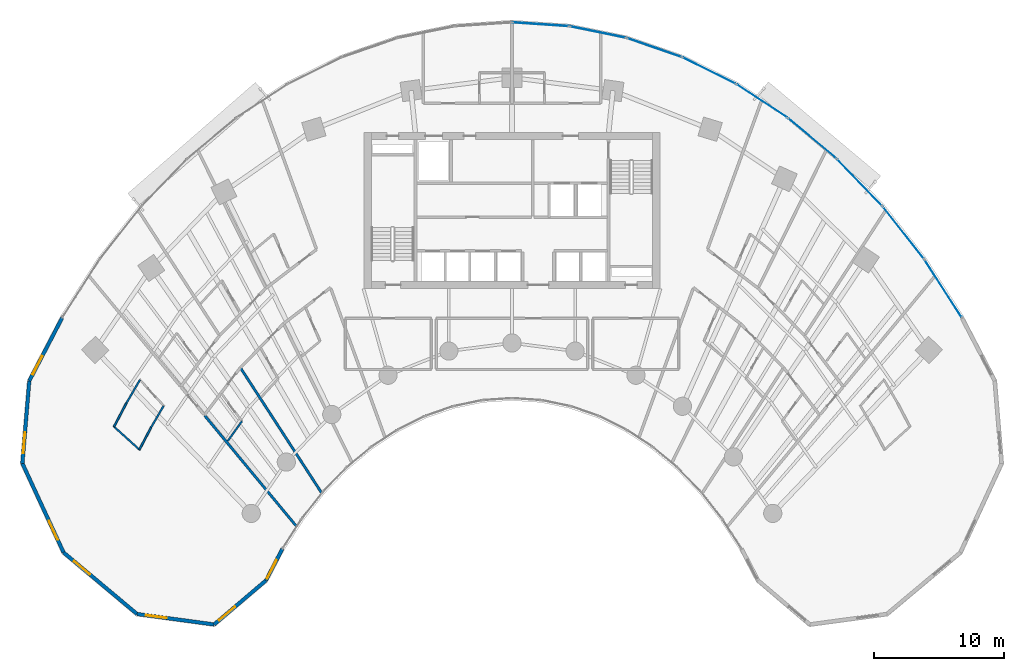
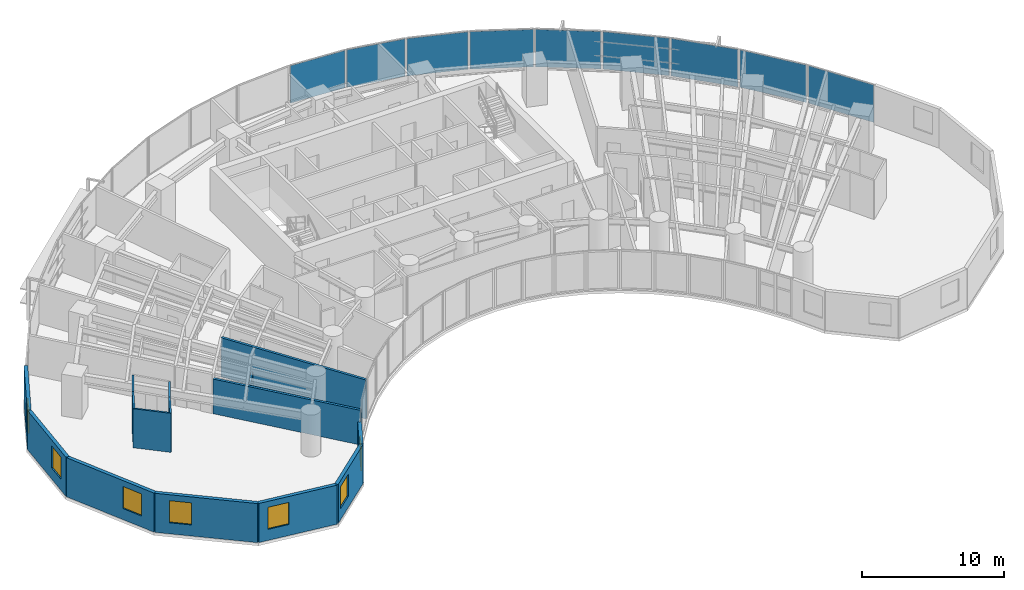
# One storey, part 10 of 18: 15 walls, 9 plates, 7 windows, 7 openings, 9 elements without a shape of their own.
"""IFC4 building model written with IfcOpenShell, lengths in metres."""

from ifc_helpers import new_model, si_unit, direction, frame, frame_2d, origin, origin_2d, place, context, subcontext, project, spatial, rectangle, extrude, source, transform, mapped, material, layer, layer_set, type_object, type_shapes, element, fill, aggregate, save


model = new_model("IFC4")

# Units and contexts
model_context = context("Model", 3, precision=1e-05, world=origin(), true_north=direction((0.0, 1.0)))
body_context = subcontext(model_context, "Body", "Model", "MODEL_VIEW")
ifc_project = project(units=[si_unit("LENGTHUNIT", "METRE"), si_unit("AREAUNIT", "SQUARE_METRE"), si_unit("VOLUMEUNIT", "CUBIC_METRE"), si_unit("PLANEANGLEUNIT", "RADIAN"), si_unit("MASSUNIT", "GRAM", prefix="KILO")], contexts=[model_context])

# Site, building, storey
site_placement = place(None, origin())
site = spatial("IfcSite", under=ifc_project, at=site_placement, CompositionType="ELEMENT")
building_placement = place(site_placement, origin())
building = spatial("IfcBuilding", under=site, at=building_placement, Name="Breltana Convention Tower", CompositionType="ELEMENT")
storey_placement = place(building_placement, frame((0.0, 0.0, 39.0)))
storey = spatial("IfcBuildingStorey", under=building, at=storey_placement, Name="L07", CompositionType="ELEMENT", Elevation=39.0)

# Curtain wall, plate
ifc_material_1 = material(Name="Aluminium Anodised Bronze Frame", Category="aluminium")
ifc_layer_1 = layer(ifc_material_1, 0.199951171875, Name="Aluminium Anodised Bronze Frame")
ifc_layer_set_1 = layer_set([ifc_layer_1], Name="Aluminium Anodised Bronze Frame")
curtain_wall_type = type_object("IfcCurtainWallType", Name="CW-SYS-2", PredefinedType="NOTDEFINED", material=ifc_layer_set_1)
curtain_wall_1_placement = place(storey_placement, origin())
curtain_wall_1 = element("IfcCurtainWall", 1, at=curtain_wall_1_placement, inside=storey, type_object=curtain_wall_type, Name="L07 outer double-skin inner glazing 17", PredefinedType="NOTDEFINED")
ifc_material_2 = material(Name="Glass Low-E Double Glazing", Category="glass")
ifc_layer_2 = layer(ifc_material_2, 0.031982421875, Name="Glass Low-E Double Glazing")
ifc_layer_set_2 = layer_set([ifc_layer_2], Name="Glass Low-E Double Glazing")
plate_type = type_object("IfcPlateType", Name="CWP-IGU-32", PredefinedType="CURTAIN_PANEL", material=ifc_layer_set_2)
shared_shape_1 = source(origin(), body_context, "Body", "SweptSolid", [
    extrude(rectangle(XDim=5.0546875, YDim=0.031982421875, at=origin_2d()), origin(), (0.0, 0.0, 1.0), 3.219970703125),
])
plate_1_placement = place(storey_placement, frame((78.038818359375, 64.504638671875, 0.06982421875), z_axis=(0.0, 0.0, 1.0), x_axis=(0.618153917633, -0.786057080698, 0.0)))
plate_1 = element("IfcPlate", 2, at=plate_1_placement, type_object=plate_type, Name="CW-02 panel 1.1", PredefinedType="CURTAIN_PANEL", context=body_context, shape_type="MappedRepresentation", body=[
    mapped(shared_shape_1, transform((0.0, 0.0, 0.0), scale=1.0)),
])
aggregate(curtain_wall_1, [plate_1])

curtain_wall_2_placement = place(storey_placement, origin())
curtain_wall_2 = element("IfcCurtainWall", 3, at=curtain_wall_2_placement, inside=storey, type_object=curtain_wall_type, Name="L07 outer double-skin inner glazing 16", PredefinedType="NOTDEFINED")
shared_shape_2 = source(origin(), body_context, "Body", "SweptSolid", [
    extrude(rectangle(XDim=4.901123046875, YDim=0.031982421875, at=origin_2d()), origin(), (0.0, 0.0, 1.0), 3.219970703125),
])
plate_2_placement = place(storey_placement, frame((74.682373046875, 68.359619140625, 0.06982421875), z_axis=(0.0, 0.0, 1.0), x_axis=(0.694610090106, -0.719386421003, 0.0)))
plate_2 = element("IfcPlate", 4, at=plate_2_placement, type_object=plate_type, Name="CW-02 panel 1.1", PredefinedType="CURTAIN_PANEL", context=body_context, shape_type="MappedRepresentation", body=[
    mapped(shared_shape_2, transform((0.0, 0.0, 0.0), scale=1.0)),
])
aggregate(curtain_wall_2, [plate_2])

curtain_wall_3_placement = place(storey_placement, origin())
curtain_wall_3 = element("IfcCurtainWall", 5, at=curtain_wall_3_placement, inside=storey, type_object=curtain_wall_type, Name="L07 outer double-skin inner glazing 15", PredefinedType="NOTDEFINED")
shared_shape_3 = source(origin(), body_context, "Body", "SweptSolid", [
    extrude(rectangle(XDim=4.7509765625, YDim=0.031982421875, at=origin_2d()), origin(), (0.0, 0.0, 1.0), 3.219970703125),
])
plate_3_placement = place(storey_placement, frame((71.0537109375, 71.7392578125, 0.06982421875), z_axis=(0.0, 0.0, 1.0), x_axis=(0.767941326958, -0.640520193554, 0.0)))
plate_3 = element("IfcPlate", 6, at=plate_3_placement, type_object=plate_type, Name="CW-02 panel 1.1", PredefinedType="CURTAIN_PANEL", context=body_context, shape_type="MappedRepresentation", body=[
    mapped(shared_shape_3, transform((0.0, 0.0, 0.0), scale=1.0)),
])
aggregate(curtain_wall_3, [plate_3])

curtain_wall_4_placement = place(storey_placement, origin())
curtain_wall_4 = element("IfcCurtainWall", 7, at=curtain_wall_4_placement, inside=storey, type_object=curtain_wall_type, Name="L07 outer double-skin inner glazing 14", PredefinedType="NOTDEFINED")
shared_shape_4 = source(origin(), body_context, "Body", "SweptSolid", [
    extrude(rectangle(XDim=4.610595703125, YDim=0.031982421875, at=origin_2d()), origin(), (0.0, 0.0, 1.0), 3.219970703125),
])
plate_4_placement = place(storey_placement, frame((67.18994140625, 74.609130859375, 0.06982421875), z_axis=(0.0, 0.0, 1.0), x_axis=(0.83596401875, -0.548784255746, 0.0)))
plate_4 = element("IfcPlate", 8, at=plate_4_placement, type_object=plate_type, Name="CW-02 panel 1.1", PredefinedType="CURTAIN_PANEL", context=body_context, shape_type="MappedRepresentation", body=[
    mapped(shared_shape_4, transform((0.0, 0.0, 0.0), scale=1.0)),
])
aggregate(curtain_wall_4, [plate_4])

curtain_wall_5_placement = place(storey_placement, origin())
curtain_wall_5 = element("IfcCurtainWall", 9, at=curtain_wall_5_placement, inside=storey, type_object=curtain_wall_type, Name="L07 outer double-skin inner glazing 13", PredefinedType="NOTDEFINED")
shared_shape_5 = source(origin(), body_context, "Body", "SweptSolid", [
    extrude(rectangle(XDim=4.487548828125, YDim=0.031982421875, at=origin_2d()), origin(), (0.0, 0.0, 1.0), 3.219970703125),
])
plate_5_placement = place(storey_placement, frame((63.13134765625, 76.940185546875, 0.06982421875), z_axis=(0.0, 0.0, 1.0), x_axis=(0.895973407804, -0.444107703726, 0.0)))
plate_5 = element("IfcPlate", 10, at=plate_5_placement, type_object=plate_type, Name="CW-02 panel 1.1", PredefinedType="CURTAIN_PANEL", context=body_context, shape_type="MappedRepresentation", body=[
    mapped(shared_shape_5, transform((0.0, 0.0, 0.0), scale=1.0)),
])
aggregate(curtain_wall_5, [plate_5])

curtain_wall_6_placement = place(storey_placement, origin())
curtain_wall_6 = element("IfcCurtainWall", 11, at=curtain_wall_6_placement, inside=storey, type_object=curtain_wall_type, Name="L07 outer double-skin inner glazing 12", PredefinedType="NOTDEFINED")
shared_shape_6 = source(origin(), body_context, "Body", "SweptSolid", [
    extrude(rectangle(XDim=4.388427734375, YDim=0.031982421875, at=origin_2d()), origin(), (0.0, 0.0, 1.0), 3.219970703125),
])
plate_6_placement = place(storey_placement, frame((58.9189453125, 78.709228515625, 0.06982421875), z_axis=(0.0, 0.0, 1.0), x_axis=(0.944876012163, -0.32742834581, 0.0)))
plate_6 = element("IfcPlate", 12, at=plate_6_placement, type_object=plate_type, Name="CW-02 panel 1.1", PredefinedType="CURTAIN_PANEL", context=body_context, shape_type="MappedRepresentation", body=[
    mapped(shared_shape_6, transform((0.0, 0.0, 0.0), scale=1.0)),
])
aggregate(curtain_wall_6, [plate_6])

curtain_wall_7_placement = place(storey_placement, origin())
curtain_wall_7 = element("IfcCurtainWall", 13, at=curtain_wall_7_placement, inside=storey, type_object=curtain_wall_type, Name="L07 outer double-skin inner glazing 11", PredefinedType="NOTDEFINED")
shared_shape_7 = source(origin(), body_context, "Body", "SweptSolid", [
    extrude(rectangle(XDim=4.318359375, YDim=0.031982421875, at=origin_2d()), origin(), (0.0, 0.0, 1.0), 3.219970703125),
])
plate_7_placement = place(storey_placement, frame((54.595703125, 79.898193359375, 0.06982421875), z_axis=(0.0, 0.0, 1.0), x_axis=(0.979614925743, -0.200884537139, 0.0)))
plate_7 = element("IfcPlate", 14, at=plate_7_placement, type_object=plate_type, Name="CW-02 panel 1.1", PredefinedType="CURTAIN_PANEL", context=body_context, shape_type="MappedRepresentation", body=[
    mapped(shared_shape_7, transform((0.0, 0.0, 0.0), scale=1.0)),
])
aggregate(curtain_wall_7, [plate_7])

curtain_wall_8_placement = place(storey_placement, origin())
curtain_wall_8 = element("IfcCurtainWall", 15, at=curtain_wall_8_placement, inside=storey, type_object=curtain_wall_type, Name="L07 outer double-skin inner glazing 10", PredefinedType="NOTDEFINED")
shared_shape_8 = source(origin(), body_context, "Body", "SweptSolid", [
    extrude(rectangle(XDim=4.2822265625, YDim=0.031982421875, at=origin_2d()), origin(), (0.0, 0.0, 1.0), 3.219970703125),
])
plate_8_placement = place(storey_placement, frame((50.2060546875, 80.495849609375, 0.06982421875), z_axis=(0.0, 0.0, 1.0), x_axis=(0.997703982282, -0.067725650529, 0.0)))
plate_8 = element("IfcPlate", 16, at=plate_8_placement, type_object=plate_type, Name="CW-02 panel 1.1", PredefinedType="CURTAIN_PANEL", context=body_context, shape_type="MappedRepresentation", body=[
    mapped(shared_shape_8, transform((0.0, 0.0, 0.0), scale=1.0)),
])
aggregate(curtain_wall_8, [plate_8])

curtain_wall_9_placement = place(storey_placement, origin())
curtain_wall_9 = element("IfcCurtainWall", 17, at=curtain_wall_9_placement, inside=storey, type_object=curtain_wall_type, Name="L07 outer double-skin inner glazing 18", PredefinedType="NOTDEFINED")
shared_shape_9 = source(origin(), body_context, "Body", "SweptSolid", [
    extrude(rectangle(XDim=5.20556640625, YDim=0.031982421875, at=origin_2d()), origin(), (0.0, 0.0, 1.0), 3.219970703125),
])
plate_9_placement = place(storey_placement, frame((81.088134765625, 60.2138671875, 0.06982421875), z_axis=(0.0, 0.0, 1.0), x_axis=(0.540180724109, -0.841549039154, 0.0)))
plate_9 = element("IfcPlate", 18, at=plate_9_placement, type_object=plate_type, Name="CW-02 panel 1.1", PredefinedType="CURTAIN_PANEL", context=body_context, shape_type="MappedRepresentation", body=[
    mapped(shared_shape_9, transform((0.0, 0.0, 0.0), scale=1.0)),
])
aggregate(curtain_wall_9, [plate_9])

# Wall, opening, window
ifc_material_3 = material(Name="Limestone Buff Insulated Wall", Category="masonry")
ifc_layer_3 = layer(ifc_material_3, 0.280029296875, Name="Limestone Buff Insulated Wall")
ifc_layer_set_3 = layer_set([ifc_layer_3], Name="Limestone Buff Insulated Wall")
wall_type_1 = type_object("IfcWallType", Name="WL-EXT-NOSE-280", PredefinedType="SOLIDWALL", material=ifc_layer_set_3)
shared_shape_10 = source(origin(), body_context, "Body", "SweptSolid", [
    extrude(rectangle(XDim=6.3525390625, YDim=0.280029296875, at=frame_2d((3.17626953125, 0.0))), origin(), (0.0, 0.0, 1.0), 3.360107421875),
])
wall_1_placement = place(storey_placement, frame((10.417724609375, 46.79150390625, 0.0), z_axis=(0.0, 0.0, 1.0), x_axis=(0.083319001377, 0.996522926986, 0.0)))
wall_1 = element("IfcWall", 19, at=wall_1_placement, inside=storey, type_object=wall_type_1, Name="L07 curved limestone nose wall W6", PredefinedType="SOLIDWALL", context=body_context, shape_type="MappedRepresentation", body=[
    mapped(shared_shape_10, transform((0.0, 0.0, 0.0), scale=1.0)),
])
opening_1_placement = place(wall_1_placement, frame((0.7880859375, 0.0, 0.949951171875)))
opening_1 = element("IfcOpeningElement", 20, at=opening_1_placement, cuts=wall_1, Name="Opening W-04", PredefinedType="OPENING", context=body_context, shape_type="SweptSolid", body=[
    extrude(rectangle(XDim=1.60009765625, YDim=1.89990234375, at=frame_2d((0.800048828125, 0.949951171875))), frame((0.0, 0.14990234375, 0.0), z_axis=(0.0, -1.0, 0.0), x_axis=(1.0, 0.0, 0.0)), (0.0, 0.0, 1.0), 0.300048828125),
])
ifc_material_4 = material(Name="Glass Low-E Insulated Window", Category="glass")
window_type = type_object("IfcWindowType", Name="WN-NOSE-1600X1900", PartitioningType="SINGLE_PANEL", PredefinedType="WINDOW", material=ifc_material_4)
shared_shape_11 = source(origin(), body_context, "Body", "SweptSolid", [
    extrude(rectangle(XDim=1.60009765625, YDim=1.89990234375, at=frame_2d((0.800048828125, 0.949951171875))), frame((0.0, 0.030029296875, 0.0), z_axis=(0.0, -1.0, 0.0), x_axis=(1.0, 0.0, 0.0)), (0.0, 0.0, 1.0), 0.06005859375),
])
type_shapes(window_type, [shared_shape_11])
window_1_placement = place(opening_1_placement, origin())
window_1 = element("IfcWindow", 21, at=window_1_placement, inside=storey, type_object=window_type, Name="L07 nose window W6", OverallHeight=1.89990234375, OverallWidth=1.60009765625, PartitioningType="SINGLE_PANEL", PredefinedType="WINDOW", context=body_context, shape_type="MappedRepresentation", body=[
    mapped(shared_shape_11, transform((0.0, 0.0, 0.0), scale=1.0)),
])
fill(opening_1, window_1)

shared_shape_12 = source(origin(), body_context, "Body", "SweptSolid", [
    extrude(rectangle(XDim=7.536376953125, YDim=0.280029296875, at=frame_2d((3.76806640625, 0.0))), origin(), (0.0, 0.0, 1.0), 3.360107421875),
])
wall_2_placement = place(storey_placement, frame((13.580322265625, 39.950927734375, 0.0), z_axis=(0.0, 0.0, 1.0), x_axis=(-0.41964973873, 0.907686122393, 0.0)))
wall_2 = element("IfcWall", 22, at=wall_2_placement, inside=storey, type_object=wall_type_1, Name="L07 curved limestone nose wall W5", PredefinedType="SOLIDWALL", context=body_context, shape_type="MappedRepresentation", body=[
    mapped(shared_shape_12, transform((0.0, 0.0, 0.0), scale=1.0)),
])
opening_2_placement = place(wall_2_placement, frame((1.083984375, 0.0, 0.949951171875)))
opening_2 = element("IfcOpeningElement", 23, at=opening_2_placement, cuts=wall_2, Name="Opening W-04", PredefinedType="OPENING", context=body_context, shape_type="SweptSolid", body=[
    extrude(rectangle(XDim=1.60009765625, YDim=1.89990234375, at=frame_2d((0.800048828125, 0.949951171875))), frame((0.0, 0.14990234375, 0.0), z_axis=(0.0, -1.0, 0.0), x_axis=(1.0, 0.0, 0.0)), (0.0, 0.0, 1.0), 0.300048828125),
])
window_2_placement = place(opening_2_placement, origin())
window_2 = element("IfcWindow", 24, at=window_2_placement, inside=storey, type_object=window_type, Name="L07 nose window W5", OverallHeight=1.89990234375, OverallWidth=1.60009765625, PartitioningType="SINGLE_PANEL", PredefinedType="WINDOW", context=body_context, shape_type="MappedRepresentation", body=[
    mapped(shared_shape_11, transform((0.0, 0.0, 0.0), scale=1.0)),
])
fill(opening_2, window_2)

shared_shape_13 = source(origin(), body_context, "Body", "SweptSolid", [
    extrude(rectangle(XDim=7.35888671875, YDim=0.280029296875, at=frame_2d((3.679443359375, 0.0))), origin(), (0.0, 0.0, 1.0), 3.360107421875),
])
wall_3_placement = place(storey_placement, frame((19.22265625, 35.226806640625, 0.0), z_axis=(0.0, 0.0, 1.0), x_axis=(-0.766737165543, 0.641961150675, 0.0)))
wall_3 = element("IfcWall", 25, at=wall_3_placement, inside=storey, type_object=wall_type_1, Name="L07 curved limestone nose wall W4", PredefinedType="SOLIDWALL", context=body_context, shape_type="MappedRepresentation", body=[
    mapped(shared_shape_13, transform((0.0, 0.0, 0.0), scale=1.0)),
])
opening_3_placement = place(wall_3_placement, frame((4.71923828125, 0.0, 0.949951171875)))
opening_3 = element("IfcOpeningElement", 26, at=opening_3_placement, cuts=wall_3, Name="Opening W-04", PredefinedType="OPENING", context=body_context, shape_type="SweptSolid", body=[
    extrude(rectangle(XDim=1.60009765625, YDim=1.89990234375, at=frame_2d((0.800048828125, 0.949951171875))), frame((0.0, 0.14990234375, 0.0), z_axis=(0.0, -1.0, 0.0), x_axis=(1.0, 0.0, 0.0)), (0.0, 0.0, 1.0), 0.300048828125),
])
window_3_placement = place(opening_3_placement, origin())
window_3 = element("IfcWindow", 27, at=window_3_placement, inside=storey, type_object=window_type, Name="L07 nose window W4", OverallHeight=1.89990234375, OverallWidth=1.60009765625, PartitioningType="SINGLE_PANEL", PredefinedType="WINDOW", context=body_context, shape_type="MappedRepresentation", body=[
    mapped(shared_shape_11, transform((0.0, 0.0, 0.0), scale=1.0)),
])
fill(opening_3, window_3)

shared_shape_14 = source(origin(), body_context, "Body", "SweptSolid", [
    extrude(rectangle(XDim=5.96728515625, YDim=0.280029296875, at=frame_2d((2.983642578125, 0.0))), origin(), (0.0, 0.0, 1.0), 3.360107421875),
])
wall_4_placement = place(storey_placement, frame((25.1357421875, 34.4248046875, 0.0), z_axis=(0.0, 0.0, 1.0), x_axis=(-0.990927009341, 0.134401124099, 0.0)))
wall_4 = element("IfcWall", 28, at=wall_4_placement, inside=storey, type_object=wall_type_1, Name="L07 curved limestone nose wall W3", PredefinedType="SOLIDWALL", context=body_context, shape_type="MappedRepresentation", body=[
    mapped(shared_shape_14, transform((0.0, 0.0, 0.0), scale=1.0)),
])
opening_4_placement = place(wall_4_placement, frame((3.675537109375, 0.0, 0.949951171875)))
opening_4 = element("IfcOpeningElement", 29, at=opening_4_placement, cuts=wall_4, Name="Opening W-04", PredefinedType="OPENING", context=body_context, shape_type="SweptSolid", body=[
    extrude(rectangle(XDim=1.60009765625, YDim=1.89990234375, at=frame_2d((0.800048828125, 0.949951171875))), frame((0.0, 0.14990234375, 0.0), z_axis=(0.0, -1.0, 0.0), x_axis=(1.0, 0.0, 0.0)), (0.0, 0.0, 1.0), 0.300048828125),
])
window_4_placement = place(opening_4_placement, origin())
window_4 = element("IfcWindow", 30, at=window_4_placement, inside=storey, type_object=window_type, Name="L07 nose window W3", OverallHeight=1.89990234375, OverallWidth=1.60009765625, PartitioningType="SINGLE_PANEL", PredefinedType="WINDOW", context=body_context, shape_type="MappedRepresentation", body=[
    mapped(shared_shape_11, transform((0.0, 0.0, 0.0), scale=1.0)),
])
fill(opening_4, window_4)

shared_shape_15 = source(origin(), body_context, "Body", "SweptSolid", [
    extrude(rectangle(XDim=5.222412109375, YDim=0.280029296875, at=frame_2d((2.611328125, 0.0))), origin(), (0.0, 0.0, 1.0), 3.360107421875),
])
wall_5_placement = place(storey_placement, frame((29.11474609375, 37.807373046875, 0.0), z_axis=(0.0, 0.0, 1.0), x_axis=(-0.761900099546, -0.647694556339, 0.0)))
wall_5 = element("IfcWall", 31, at=wall_5_placement, inside=storey, type_object=wall_type_1, Name="L07 curved limestone nose wall W2", PredefinedType="SOLIDWALL", context=body_context, shape_type="MappedRepresentation", body=[
    mapped(shared_shape_15, transform((0.0, 0.0, 0.0), scale=1.0)),
])
opening_5_placement = place(wall_5_placement, frame((3.11669921875, 0.0, 0.949951171875)))
opening_5 = element("IfcOpeningElement", 32, at=opening_5_placement, cuts=wall_5, Name="Opening W-04", PredefinedType="OPENING", context=body_context, shape_type="SweptSolid", body=[
    extrude(rectangle(XDim=1.60009765625, YDim=1.89990234375, at=frame_2d((0.800048828125, 0.949951171875))), frame((0.0, 0.14990234375, 0.0), z_axis=(0.0, -1.0, 0.0), x_axis=(1.0, 0.0, 0.0)), (0.0, 0.0, 1.0), 0.300048828125),
])
window_5_placement = place(opening_5_placement, origin())
window_5 = element("IfcWindow", 33, at=window_5_placement, inside=storey, type_object=window_type, Name="L07 nose window W2", OverallHeight=1.89990234375, OverallWidth=1.60009765625, PartitioningType="SINGLE_PANEL", PredefinedType="WINDOW", context=body_context, shape_type="MappedRepresentation", body=[
    mapped(shared_shape_11, transform((0.0, 0.0, 0.0), scale=1.0)),
])
fill(opening_5, window_5)

shared_shape_16 = source(origin(), body_context, "Body", "SweptSolid", [
    extrude(rectangle(XDim=2.7353515625, YDim=0.280029296875, at=frame_2d((1.36767578125, 0.0))), origin(), (0.0, 0.0, 1.0), 3.360107421875),
])
wall_6_placement = place(storey_placement, frame((30.3779296875, 40.233642578125, 0.0), z_axis=(0.0, 0.0, 1.0), x_axis=(-0.46179107292, -0.886988728774, 0.0)))
wall_6 = element("IfcWall", 34, at=wall_6_placement, inside=storey, type_object=wall_type_1, Name="L07 curved limestone nose wall W1", PredefinedType="SOLIDWALL", context=body_context, shape_type="MappedRepresentation", body=[
    mapped(shared_shape_16, transform((0.0, 0.0, 0.0), scale=1.0)),
])
opening_6_placement = place(wall_6_placement, frame((0.9755859375, 0.0, 0.949951171875)))
opening_6 = element("IfcOpeningElement", 35, at=opening_6_placement, cuts=wall_6, Name="Opening W-04", PredefinedType="OPENING", context=body_context, shape_type="SweptSolid", body=[
    extrude(rectangle(XDim=1.60009765625, YDim=1.89990234375, at=frame_2d((0.800048828125, 0.949951171875))), frame((0.0, 0.14990234375, 0.0), z_axis=(0.0, -1.0, 0.0), x_axis=(1.0, 0.0, 0.0)), (0.0, 0.0, 1.0), 0.300048828125),
])
window_6_placement = place(opening_6_placement, origin())
window_6 = element("IfcWindow", 36, at=window_6_placement, inside=storey, type_object=window_type, Name="L07 nose window W1", OverallHeight=1.89990234375, OverallWidth=1.60009765625, PartitioningType="SINGLE_PANEL", PredefinedType="WINDOW", context=body_context, shape_type="MappedRepresentation", body=[
    mapped(shared_shape_11, transform((0.0, 0.0, 0.0), scale=1.0)),
])
fill(opening_6, window_6)

shared_shape_17 = source(origin(), body_context, "Body", "SweptSolid", [
    extrude(rectangle(XDim=5.45947265625, YDim=0.280029296875, at=frame_2d((2.729736328125, 0.0))), origin(), (0.0, 0.0, 1.0), 3.360107421875),
])
wall_7_placement = place(storey_placement, frame((10.947021484375, 53.1220703125, 0.0), z_axis=(0.0, 0.0, 1.0), x_axis=(0.461768054321, 0.887000712518, 0.0)))
wall_7 = element("IfcWall", 37, at=wall_7_placement, inside=storey, type_object=wall_type_1, Name="L07 curved limestone nose wall W7", PredefinedType="SOLIDWALL", context=body_context, shape_type="MappedRepresentation", body=[
    mapped(shared_shape_17, transform((0.0, 0.0, 0.0), scale=1.0)),
])
opening_7_placement = place(wall_7_placement, frame((0.56494140625, 0.0, 0.949951171875)))
opening_7 = element("IfcOpeningElement", 38, at=opening_7_placement, cuts=wall_7, Name="Opening W-04", PredefinedType="OPENING", context=body_context, shape_type="SweptSolid", body=[
    extrude(rectangle(XDim=1.60009765625, YDim=1.89990234375, at=frame_2d((0.800048828125, 0.949951171875))), frame((0.0, 0.14990234375, 0.0), z_axis=(0.0, -1.0, 0.0), x_axis=(1.0, 0.0, 0.0)), (0.0, 0.0, 1.0), 0.300048828125),
])
window_7_placement = place(opening_7_placement, origin())
window_7 = element("IfcWindow", 39, at=window_7_placement, inside=storey, type_object=window_type, Name="L07 nose window W7", OverallHeight=1.89990234375, OverallWidth=1.60009765625, PartitioningType="SINGLE_PANEL", PredefinedType="WINDOW", context=body_context, shape_type="MappedRepresentation", body=[
    mapped(shared_shape_11, transform((0.0, 0.0, 0.0), scale=1.0)),
])
fill(opening_7, window_7)

# Walls
ifc_material_5 = material(Name="Gypsum Acoustic Hotel Wall")
ifc_layer_4 = layer(ifc_material_5, 0.195068359375, Name="Gypsum Acoustic Hotel Wall")
ifc_layer_set_4 = layer_set([ifc_layer_4], Name="Gypsum Acoustic Hotel Wall")
wall_type_2 = type_object("IfcWallType", Name="WL-HOTEL-200", PredefinedType="PARTITIONING", material=ifc_layer_set_4)
shared_shape_18 = source(origin(), body_context, "Body", "SweptSolid", [
    extrude(rectangle(XDim=11.4287109375, YDim=0.195068359375, at=frame_2d((5.71435546875, 0.0))), origin(), (0.0, 0.0, 1.0), 3.360107421875),
])
wall_8_placement = place(storey_placement, frame((33.396484375, 44.510986328125, 0.0), z_axis=(0.0, 0.0, 1.0), x_axis=(-0.544215487077, 0.838945471187, 0.0)))
element("IfcWall", 40, at=wall_8_placement, inside=storey, type_object=wall_type_2, Name="L07 interior partition W-L07-HK02-RB", PredefinedType="PARTITIONING", context=body_context, shape_type="MappedRepresentation", body=[
    mapped(shared_shape_18, transform((0.0, 0.0, 0.0), scale=1.0)),
])
ifc_material_6 = material(Name="Moisture-Resistant En-Suite Partition")
ifc_layer_5 = layer(ifc_material_6, 0.139892578125, Name="Moisture-Resistant En-Suite Partition")
ifc_layer_set_5 = layer_set([ifc_layer_5], Name="Moisture-Resistant En-Suite Partition")
wall_type_3 = type_object("IfcWallType", Name="WL-WET-150", PredefinedType="PARTITIONING", material=ifc_layer_set_5)
shared_shape_19 = source(origin(), body_context, "Body", "SweptSolid", [
    extrude(rectangle(XDim=2.738037109375, YDim=0.139892578125, at=frame_2d((1.369140625, 0.0))), origin(), (0.0, 0.0, 1.0), 3.360107421875),
])
wall_9_placement = place(storey_placement, frame((19.439697265625, 47.81396484375, 0.0), z_axis=(0.0, 0.0, 1.0), x_axis=(-0.741873676582, 0.670539669218, 0.0)))
element("IfcWall", 41, at=wall_9_placement, inside=storey, type_object=wall_type_3, Name="L07 interior partition W-L07-CSENS-W-F", PredefinedType="PARTITIONING", context=body_context, shape_type="MappedRepresentation", body=[
    mapped(shared_shape_19, transform((0.0, 0.0, 0.0), scale=1.0)),
])
shared_shape_20 = source(origin(), body_context, "Body", "SweptSolid", [
    extrude(rectangle(XDim=1.936279296875, YDim=0.139892578125, at=frame_2d((0.96826171875, 0.0))), origin(), (0.0, 0.0, 1.0), 3.360107421875),
])
wall_10_placement = place(storey_placement, frame((19.398193359375, 47.8515625, 0.0), z_axis=(0.0, 0.0, 1.0), x_axis=(0.467174971862, 0.884164886017, 0.0)))
element("IfcWall", 42, at=wall_10_placement, inside=storey, type_object=wall_type_3, Name="L07 interior partition W-L07-CSENS-W-B1A", PredefinedType="PARTITIONING", context=body_context, shape_type="MappedRepresentation", body=[
    mapped(shared_shape_20, transform((0.0, 0.0, 0.0), scale=1.0)),
])
shared_shape_21 = source(origin(), body_context, "Body", "SweptSolid", [
    extrude(rectangle(XDim=2.068115234375, YDim=0.139892578125, at=frame_2d((1.0341796875, 0.0))), origin(), (0.0, 0.0, 1.0), 3.360107421875),
])
wall_11_placement = place(storey_placement, frame((17.449951171875, 49.6123046875, 0.0), z_axis=(0.0, 0.0, 1.0), x_axis=(0.467215057643, 0.884143704333, 0.0)))
element("IfcWall", 43, at=wall_11_placement, inside=storey, type_object=wall_type_3, Name="L07 interior partition W-L07-CSENS-W-B2A", PredefinedType="PARTITIONING", context=body_context, shape_type="MappedRepresentation", body=[
    mapped(shared_shape_21, transform((0.0, 0.0, 0.0), scale=1.0)),
])
shared_shape_22 = source(origin(), body_context, "Body", "SweptSolid", [
    extrude(rectangle(XDim=1.914306640625, YDim=0.139892578125, at=frame_2d((0.95703125, 0.0))), origin(), (0.0, 0.0, 1.0), 3.360107421875),
])
wall_12_placement = place(storey_placement, frame((20.302734375, 49.5634765625, 0.0), z_axis=(0.0, 0.0, 1.0), x_axis=(0.502347790612, 0.864665656347, 0.0)))
element("IfcWall", 44, at=wall_12_placement, inside=storey, type_object=wall_type_3, Name="L07 interior partition W-L07-CSENS-W-B1B", PredefinedType="PARTITIONING", context=body_context, shape_type="MappedRepresentation", body=[
    mapped(shared_shape_22, transform((0.0, 0.0, 0.0), scale=1.0)),
])
shared_shape_23 = source(origin(), body_context, "Body", "SweptSolid", [
    extrude(rectangle(XDim=2.044677734375, YDim=0.139892578125, at=frame_2d((1.0224609375, 0.0))), origin(), (0.0, 0.0, 1.0), 3.360107421875),
])
wall_13_placement = place(storey_placement, frame((18.416259765625, 51.44091796875, 0.0), z_axis=(0.0, 0.0, 1.0), x_axis=(0.5023112139, 0.864686905411, 0.0)))
element("IfcWall", 45, at=wall_13_placement, inside=storey, type_object=wall_type_3, Name="L07 interior partition W-L07-CSENS-W-B2B", PredefinedType="PARTITIONING", context=body_context, shape_type="MappedRepresentation", body=[
    mapped(shared_shape_23, transform((0.0, 0.0, 0.0), scale=1.0)),
])
shared_shape_24 = source(origin(), body_context, "Body", "SweptSolid", [
    extrude(rectangle(XDim=11.05322265625, YDim=0.195068359375, at=frame_2d((5.526611328125, 0.0))), origin(), (0.0, 0.0, 1.0), 2.98388671875),
])
wall_14_placement = place(storey_placement, frame((31.466064453125, 41.948974609375, 0.0), z_axis=(0.0, 0.0, 1.0), x_axis=(-0.638131235571, 0.769927611005, 0.0)))
element("IfcWall", 46, at=wall_14_placement, inside=storey, type_object=wall_type_2, Name="L07 interior partition W-L07-HK02-RA", PredefinedType="PARTITIONING", context=body_context, shape_type="MappedRepresentation", body=[
    mapped(shared_shape_24, transform((0.0, 0.0, 0.0), scale=1.0)),
])
shared_shape_25 = source(origin(), body_context, "Body", "SweptSolid", [
    extrude(rectangle(XDim=1.883544921875, YDim=0.139892578125, at=frame_2d((0.94189453125, 0.0))), origin(), (0.0, 0.0, 1.0), 2.802978515625),
])
wall_15_placement = place(storey_placement, frame((26.176513671875, 48.497802734375, 0.0), z_axis=(0.0, 0.0, 1.0), x_axis=(0.580833492897, 0.814022391295, 0.0)))
element("IfcWall", 47, at=wall_15_placement, inside=storey, type_object=wall_type_3, Name="L07 interior partition W-L07-HK02E-BK", PredefinedType="PARTITIONING", context=body_context, shape_type="MappedRepresentation", body=[
    mapped(shared_shape_25, transform((0.0, 0.0, 0.0), scale=1.0)),
])

save(model, "model.ifc")
